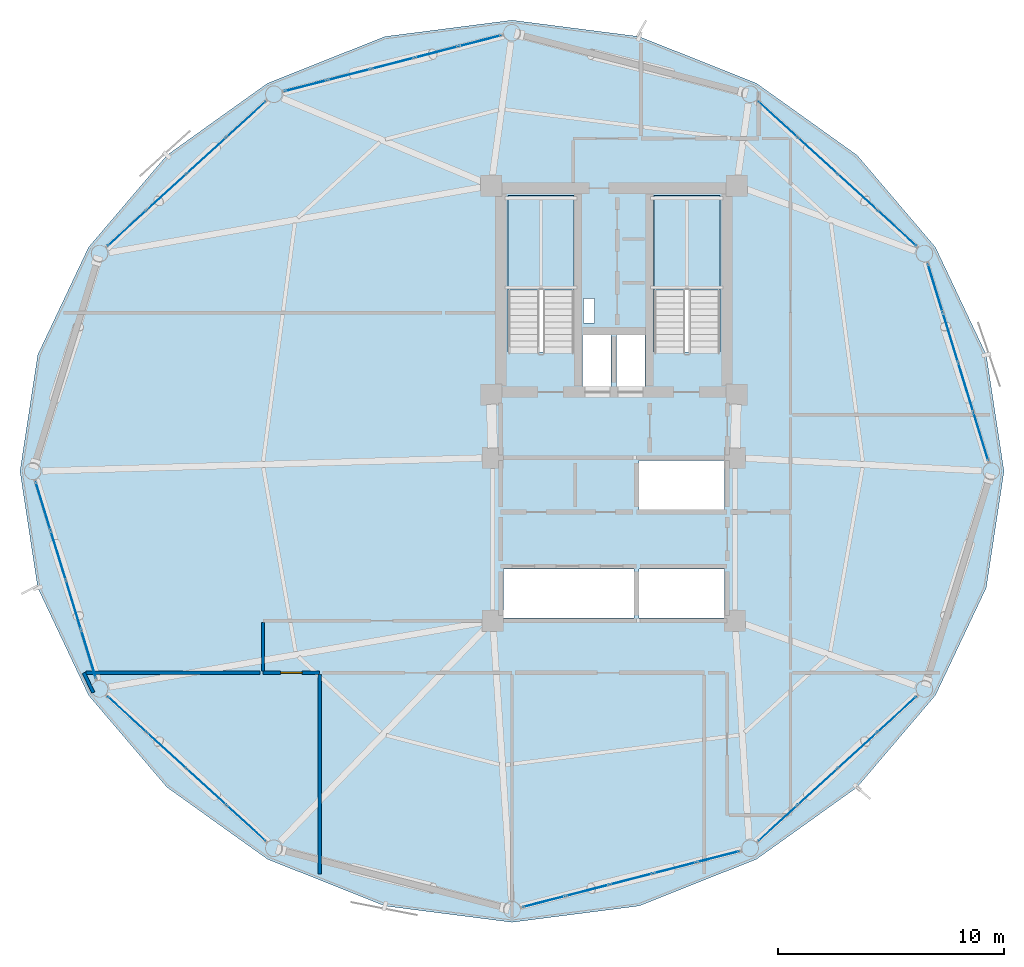
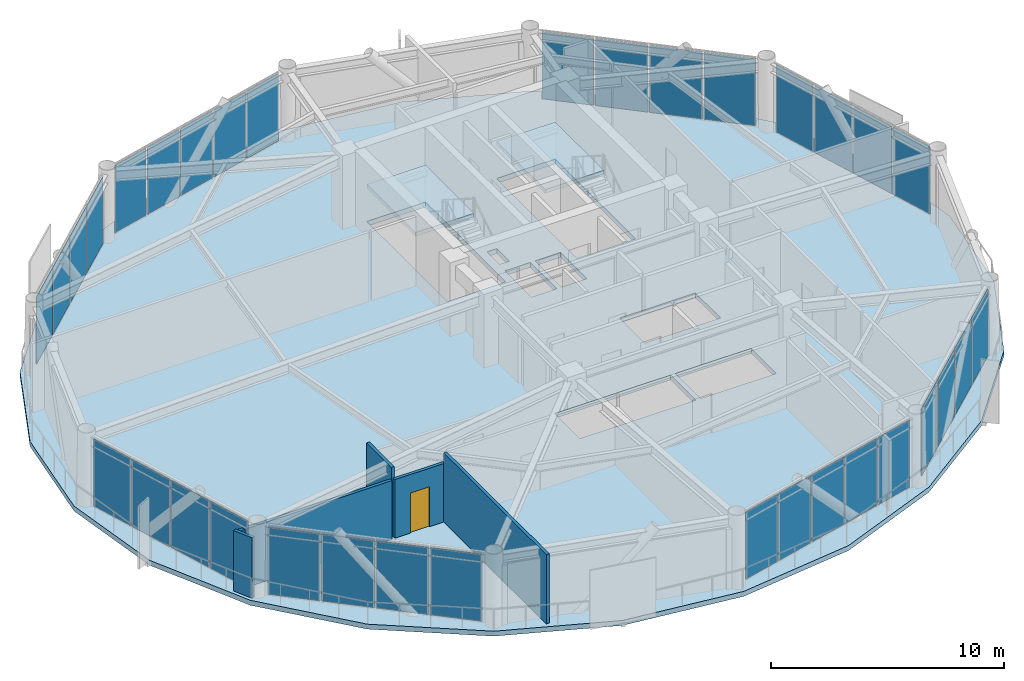
# One storey, part 19 of 25: 34 plates, 5 walls, 3 slabs, 1 door, 1 opening, 10 elements without a shape of their own.
"""IFC4 building model written with IfcOpenShell, lengths in metres."""

import ifcopenshell
import ifcopenshell.guid

model = None  # the IFC model being written
_history = None  # IfcOwnerHistory: only IFC2X3 demands one
_inside = {}  # id of a spatial element -> (the spatial element, [elements in it])
_under = {}  # id of a project, library or spatial element -> (it, [spatial elements below it])
_declared = {}  # id of a project -> (the project, [libraries it declares])
_typed = {}  # id of a type object -> (the type object, [elements of that type])
_made_of = {}  # id of a material, layer set ... -> (it, [elements and type objects made of it])


def new_model(schema):
    """Start an empty IFC model of exactly this schema.

    Asked for "IFC4X3", IfcOpenShell would pick the latest addendum, in which some entities
    have other attributes; the version numbers below select the first issue.
    IFC2X3 requires an IfcOwnerHistory on every rooted entity: one is made here for all.
    """
    global model, _history
    if schema == "IFC4X3":
        model = ifcopenshell.file(schema_version=(4, 3, 0, 0))
    else:
        model = ifcopenshell.file(schema=schema)
    _inside.clear()
    _under.clear()
    _declared.clear()
    _typed.clear()
    _made_of.clear()
    _history = None
    if model.schema == "IFC2X3":
        org = make("IfcOrganization", Name="unknown")
        user = make(
            "IfcPersonAndOrganization",
            ThePerson=make("IfcPerson", FamilyName="unknown"),
            TheOrganization=org,
        )
        app = make(
            "IfcApplication",
            ApplicationDeveloper=org,
            Version="unknown",
            ApplicationFullName="unknown",
            ApplicationIdentifier="unknown",
        )
        _history = make(
            "IfcOwnerHistory",
            OwningUser=user,
            OwningApplication=app,
            ChangeAction="ADDED",
            CreationDate=0,
        )
    return model


def make(cls, **values):
    """One entity of the class cls with the attributes given. An attribute that is None is left unset."""
    return model.create_entity(
        cls, **{name: value for name, value in values.items() if value is not None}
    )


def rooted(cls, **values):
    """An entity with a GlobalId (a new one), such as an element, a storey or a relation."""
    return make(cls, GlobalId=ifcopenshell.guid.new(), OwnerHistory=_history, **values)


def si_unit(unit_type, name, prefix=None):
    """IfcSIUnit, for example si_unit("LENGTHUNIT", "METRE", prefix="MILLI")."""
    return make("IfcSIUnit", UnitType=unit_type, Prefix=prefix, Name=name)


def assignment(units):
    """IfcUnitAssignment: the units of a project."""
    return None if units is None else make("IfcUnitAssignment", Units=units)


def point(xyz):
    """IfcCartesianPoint."""
    return None if xyz is None else make("IfcCartesianPoint", Coordinates=xyz)


def direction(xyz):
    """IfcDirection."""
    return None if xyz is None else make("IfcDirection", DirectionRatios=xyz)


def frame(location, z_axis=None, x_axis=None):
    """IfcAxis2Placement3D, a coordinate frame: its origin and axes. An axis left out is left unset."""
    return make(
        "IfcAxis2Placement3D",
        Location=point(location),
        Axis=direction(z_axis),
        RefDirection=direction(x_axis),
    )


def frame_2d(location, x_axis=None):
    """IfcAxis2Placement2D, a coordinate frame in the plane: its origin and x axis."""
    return make(
        "IfcAxis2Placement2D", Location=point(location), RefDirection=direction(x_axis)
    )


def origin():
    """The frame at (0, 0, 0) with its axes left unset."""
    return frame((0.0, 0.0, 0.0))


def origin_2d():
    """The frame at (0, 0) in the plane with its x axis left unset."""
    return frame_2d((0.0, 0.0))


def place(relative_to, where):
    """IfcLocalPlacement: puts the frame where relative to a parent placement (None: the world)."""
    return make(
        "IfcLocalPlacement", PlacementRelTo=relative_to, RelativePlacement=where
    )


def context(
    kind, dimensions, precision=None, world=None, true_north=None, identifier=None
):
    """IfcGeometricRepresentationContext, for example the 3D "Model" context."""
    return make(
        "IfcGeometricRepresentationContext",
        ContextIdentifier=identifier,
        ContextType=kind,
        CoordinateSpaceDimension=dimensions,
        Precision=precision,
        WorldCoordinateSystem=world,
        TrueNorth=true_north,
    )


def subcontext(parent, identifier, kind, view, scale=None):
    """IfcGeometricRepresentationSubContext, for example "Body" below "Model"."""
    return make(
        "IfcGeometricRepresentationSubContext",
        ContextIdentifier=identifier,
        ContextType=kind,
        ParentContext=parent,
        TargetScale=scale,
        TargetView=view,
    )


def project(units=None, contexts=None):
    """IfcProject with its units and contexts."""
    return rooted(
        "IfcProject",
        Name="project",
        RepresentationContexts=contexts,
        UnitsInContext=assignment(units),
    )


def spatial(cls, under=None, at=None, **own):
    """A site, building, storey or space (cls), placed at a placement, below another one or the project."""
    s = rooted(cls, ObjectPlacement=at, **own)
    if under is not None:
        _under.setdefault(under.id(), (under, []))[1].append(s)
    return s


def polyline(points):
    """IfcPolyline through the points."""
    return make("IfcPolyline", Points=[point(p) for p in points])


def profile(cls, at=None, kind="AREA", **sizes):
    """A parametric profile (cls). Its sizes go by their IFC names, for example OverallWidth=200.0."""
    return make(cls, ProfileType=kind, Position=at, **sizes)


def rectangle(**sizes):
    """IfcRectangleProfileDef."""
    return profile("IfcRectangleProfileDef", **sizes)


def outline(outer, holes=None, kind="AREA"):
    """IfcArbitraryClosedProfileDef: a profile drawn as a closed curve; with holes, ...WithVoids."""
    if holes is None:
        return make("IfcArbitraryClosedProfileDef", ProfileType=kind, OuterCurve=outer)
    return make(
        "IfcArbitraryProfileDefWithVoids",
        ProfileType=kind,
        OuterCurve=outer,
        InnerCurves=holes,
    )


def extrude(swept, where, along, depth):
    """IfcExtrudedAreaSolid: the profile swept, set in the frame where, extruded along a direction by depth."""
    return make(
        "IfcExtrudedAreaSolid",
        SweptArea=swept,
        Position=where,
        ExtrudedDirection=direction(along),
        Depth=depth,
    )


def shape(context_of_items, identifier, shape_type, items):
    """IfcShapeRepresentation: the items that make up one representation, for example the "Body"."""
    return make(
        "IfcShapeRepresentation",
        ContextOfItems=context_of_items,
        RepresentationIdentifier=identifier,
        RepresentationType=shape_type,
        Items=items,
    )


def source(mapping_origin, context_of_items, identifier, shape_type, items):
    """IfcRepresentationMap: a shape defined once, which mapped items show again and again."""
    return make(
        "IfcRepresentationMap",
        MappingOrigin=mapping_origin,
        MappedRepresentation=shape(context_of_items, identifier, shape_type, items),
    )


def transform(
    local_origin,
    x_axis=None,
    y_axis=None,
    z_axis=None,
    scale=None,
    scale2=None,
    scale3=None,
    uniform=True,
):
    """IfcCartesianTransformationOperator3D, or its non-uniform kind. x_axis, y_axis, z_axis: its Axis1, 2, 3."""
    if uniform:
        return make(
            "IfcCartesianTransformationOperator3D",
            Axis1=direction(x_axis),
            Axis2=direction(y_axis),
            LocalOrigin=point(local_origin),
            Scale=scale,
            Axis3=direction(z_axis),
        )
    return make(
        "IfcCartesianTransformationOperator3DnonUniform",
        Axis1=direction(x_axis),
        Axis2=direction(y_axis),
        LocalOrigin=point(local_origin),
        Scale=scale,
        Axis3=direction(z_axis),
        Scale2=scale2,
        Scale3=scale3,
    )


def mapped(mapping_source, mapping_target):
    """IfcMappedItem: shows the shape of a source again, moved by a transform."""
    return make(
        "IfcMappedItem", MappingSource=mapping_source, MappingTarget=mapping_target
    )


def material(Name=None, Category=None):
    """IfcMaterial."""
    return make("IfcMaterial", Name=Name, Category=Category)


def layer(
    of_material, thickness, ventilated=None, Name=None, Category=None, Priority=None
):
    """IfcMaterialLayer: one layer of a wall or slab, of a material (None: an air gap)."""
    return make(
        "IfcMaterialLayer",
        Material=of_material,
        LayerThickness=thickness,
        IsVentilated=ventilated,
        Name=Name,
        Category=Category,
        Priority=Priority,
    )


def layer_set(layers, Name=None):
    """IfcMaterialLayerSet."""
    return make("IfcMaterialLayerSet", MaterialLayers=layers, LayerSetName=Name)


def made_of(thing, what):
    """Note that an element or type object is made of a material, layer set ...; save() writes the relation."""
    if what is not None:
        _made_of.setdefault(what.id(), (what, []))[1].append(thing)
    return thing


def type_object(cls, material=None, **own):
    """A type object (cls), such as IfcWallType, which elements share."""
    return made_of(rooted(cls, **own), material)


def type_shapes(of_type, sources):
    """Give a type object the sources (RepresentationMaps) that its elements show as mapped items."""
    of_type.RepresentationMaps = sources


def element(
    cls,
    number,
    at=None,
    inside=None,
    cuts=None,
    type_object=None,
    material=None,
    context=None,
    identifier="Body",
    shape_type=None,
    held_by="IfcProductDefinitionShape",
    body=None,
    shapes=None,
    **own,
):
    """One element of the class cls, such as IfcWall. Its Tag is "e" and its number.

    at: its placement. inside: the storey or other place that contains it. cuts: it is an
    opening in that element (IfcRelVoidsElement). A single representation is given by context,
    identifier, shape_type and body (its items); several are given by shapes. held_by: the class
    of the entity that holds the representations. save() writes the other relations.
    """
    e = rooted(cls, Tag="e%d" % number, ObjectPlacement=at, **own)
    if body is not None:
        shapes = [shape(context, identifier, shape_type, body)]
    if shapes is not None:
        e.Representation = make(held_by, Representations=shapes)
    if inside is not None:
        _inside.setdefault(inside.id(), (inside, []))[1].append(e)
    if cuts is not None:
        rooted(
            "IfcRelVoidsElement", RelatingBuildingElement=cuts, RelatedOpeningElement=e
        )
    if type_object is not None:
        _typed.setdefault(type_object.id(), (type_object, []))[1].append(e)
    return made_of(e, material)


def fill(opening, filler):
    """IfcRelFillsElement: the door or window that sits in an opening."""
    return rooted(
        "IfcRelFillsElement",
        RelatingOpeningElement=opening,
        RelatedBuildingElement=filler,
    )


def aggregate(whole, parts):
    """IfcRelAggregates: a whole, such as a stair, and the parts it consists of."""
    return rooted("IfcRelAggregates", RelatingObject=whole, RelatedObjects=parts)


def save(model, path):
    """Write the relations noted so far, then the file.

    IfcRelAggregates (storeys below a building ...), IfcRelContainedInSpatialStructure (elements
    in a storey), IfcRelDefinesByType, IfcRelAssociatesMaterial and IfcRelDeclares: one each for
    every whole, place, type object, material and project.
    """
    for whole, parts in _under.values():
        aggregate(whole, parts)
    for where, things in _inside.values():
        rooted(
            "IfcRelContainedInSpatialStructure",
            RelatedElements=things,
            RelatingStructure=where,
        )
    for kind, things in _typed.values():
        rooted("IfcRelDefinesByType", RelatedObjects=things, RelatingType=kind)
    for what, things in _made_of.values():
        rooted("IfcRelAssociatesMaterial", RelatedObjects=things, RelatingMaterial=what)
    for by, libraries in _declared.values():
        rooted("IfcRelDeclares", RelatingContext=by, RelatedDefinitions=libraries)
    model.write(path)


model = new_model("IFC4")

# Units and contexts
model_context = context("Model", 3, precision=1e-05, world=origin(), true_north=direction((0.0, 1.0)))
body_context = subcontext(model_context, "Body", "Model", "MODEL_VIEW")
ifc_project = project(units=[si_unit("LENGTHUNIT", "METRE"), si_unit("AREAUNIT", "SQUARE_METRE"), si_unit("VOLUMEUNIT", "CUBIC_METRE"), si_unit("PLANEANGLEUNIT", "RADIAN"), si_unit("MASSUNIT", "GRAM", prefix="KILO")], contexts=[model_context])

# Site, building, storey
site_placement = place(None, origin())
site = spatial("IfcSite", under=ifc_project, at=site_placement, CompositionType="ELEMENT")
building_placement = place(site_placement, origin())
building = spatial("IfcBuilding", under=site, at=building_placement, Name="Varnakorn Sky Granary", CompositionType="ELEMENT")
storey_placement = place(building_placement, frame((0.0, 0.0, 126.60009765625)))
storey = spatial("IfcBuildingStorey", under=building, at=storey_placement, Name="L31", CompositionType="ELEMENT", Elevation=126.60009765625)

# Stair, slab
ifc_material_1 = material(Name="Concrete C40/50", Category="concrete")
stair_type = type_object("IfcStairType", Name="ST-MAIN-ASSEMBLY", PredefinedType="HALF_TURN_STAIR", material=ifc_material_1)
stair_1_placement = place(storey_placement, origin())
stair_1 = element("IfcStair", 1, at=stair_1_placement, inside=storey, type_object=stair_type, Name="L31 Protected Exit Stair ST-1", PredefinedType="HALF_TURN_STAIR")
ifc_layer_1 = layer(ifc_material_1, 0.199951171875, Name="Concrete C40/50")
ifc_layer_set_1 = layer_set([ifc_layer_1], Name="Concrete C40/50")
slab_type_1 = type_object("IfcSlabType", Name="ST-MAIN-LAND", PredefinedType="LANDING", material=ifc_layer_set_1)
slab_1_placement = place(storey_placement, frame((0.0, 0.0, 1.75)))
slab_1 = element("IfcSlab", 2, at=slab_1_placement, type_object=slab_type_1, Name="ST-1 landing 1", PredefinedType="LANDING", context=body_context, shape_type="SweptSolid", body=[
    extrude(outline(polyline([(1.239990234375, 8.0), (1.239990234375, 12.179931640625), (-1.669921875, 12.179931640625), (-1.669921875, 8.0), (1.239990234375, 8.0)])), origin(), (0.0, 0.0, 1.0), 0.199951171875),
])
aggregate(stair_1, [slab_1])

stair_2_placement = place(storey_placement, origin())
stair_2 = element("IfcStair", 3, at=stair_2_placement, inside=storey, type_object=stair_type, Name="L31 Protected Exit Stair ST-2", PredefinedType="HALF_TURN_STAIR")
slab_2_placement = place(storey_placement, frame((0.0, 0.0, 1.75)))
slab_2 = element("IfcSlab", 4, at=slab_2_placement, type_object=slab_type_1, Name="ST-2 landing 1", PredefinedType="LANDING", context=body_context, shape_type="SweptSolid", body=[
    extrude(outline(polyline([(7.679931640625, 8.0), (7.679931640625, 12.179931640625), (4.77001953125, 12.179931640625), (4.77001953125, 8.0), (7.679931640625, 8.0)])), origin(), (0.0, 0.0, 1.0), 0.199951171875),
])
aggregate(stair_2, [slab_2])

# Slab
ifc_material_2 = material(Name="Concrete C50/60", Category="concrete")
ifc_layer_2 = layer(ifc_material_2, 0.260009765625, Name="Concrete C50/60")
ifc_layer_set_2 = layer_set([ifc_layer_2], Name="Concrete C50/60")
slab_type_2 = type_object("IfcSlabType", Name="ST-SL-TWR-260", PredefinedType="FLOOR", material=ifc_layer_set_2)
slab_3_placement = place(storey_placement, frame((0.0, 0.0, -0.260009765625)))
element("IfcSlab", 5, at=slab_3_placement, inside=storey, type_object=slab_type_2, Name="Level L31 Structural Floor Slab", PredefinedType="FLOOR", context=body_context, shape_type="SweptSolid", body=[
    extrude(outline(polyline([(20.23291015625, 0.0), (19.448974609375, 5.14501953125), (17.204345703125, 9.89453125), (13.740234375, 13.961181640625), (9.299072265625, 17.1376953125), (4.11328125, 19.20166015625), (-1.5, 19.924072265625), (-7.11328125, 19.20166015625), (-12.299072265625, 17.1376953125), (-16.740234375, 13.961181640625), (-20.204345703125, 9.89453125), (-22.448974609375, 5.14501953125), (-23.23291015625, 0.0), (-22.448974609375, -5.14501953125), (-20.204345703125, -9.89453125), (-16.740234375, -13.961181640625), (-12.299072265625, -17.1376953125), (-7.11328125, -19.20166015625), (-1.5, -19.924072265625), (4.11328125, -19.20166015625), (9.299072265625, -17.1376953125), (13.740234375, -13.961181640625), (17.204345703125, -9.89453125), (19.448974609375, -5.14501953125), (20.23291015625, 0.0)]), holes=[polyline([(1.239990234375, 5.27490234375), (1.239990234375, 12.179931640625), (-1.669921875, 12.179931640625), (-1.669921875, 5.27490234375), (1.239990234375, 5.27490234375)]), polyline([(7.679931640625, 5.27490234375), (7.679931640625, 12.179931640625), (4.77001953125, 12.179931640625), (4.77001953125, 5.27490234375), (7.679931640625, 5.27490234375)]), polyline([(1.659912109375, 6.550048828125), (2.14990234375, 6.550048828125), (2.14990234375, 7.6201171875), (1.659912109375, 7.6201171875), (1.659912109375, 6.550048828125)]), polyline([(1.6201171875, 3.739990234375), (2.8798828125, 3.739990234375), (2.8798828125, 6.010009765625), (1.6201171875, 6.010009765625), (1.6201171875, 3.739990234375)]), polyline([(3.1201171875, 3.739990234375), (4.3798828125, 3.739990234375), (4.3798828125, 6.010009765625), (3.1201171875, 6.010009765625), (3.1201171875, 3.739990234375)]), polyline([(4.1201171875, -1.679931640625), (7.8798828125, -1.679931640625), (7.8798828125, 0.47998046875), (4.1201171875, 0.47998046875), (4.1201171875, -1.679931640625)]), polyline([(-1.8798828125, -6.47998046875), (3.8798828125, -6.47998046875), (3.8798828125, -4.320068359375), (-1.8798828125, -4.320068359375), (-1.8798828125, -6.47998046875)]), polyline([(4.1201171875, -6.47998046875), (7.8798828125, -6.47998046875), (7.8798828125, -4.320068359375), (4.1201171875, -4.320068359375), (4.1201171875, -6.47998046875)])]), origin(), (0.0, 0.0, 1.0), 0.260009765625),
])

# Curtain wall, plates
ifc_material_3 = material(Name="Anodised Bronze Aluminium Alloy 6063-T6", Category="aluminium")
ifc_layer_3 = layer(ifc_material_3, 0.179931640625, Name="Anodised Bronze Aluminium Alloy 6063-T6")
ifc_layer_set_3 = layer_set([ifc_layer_3], Name="Anodised Bronze Aluminium Alloy 6063-T6")
curtain_wall_type = type_object("IfcCurtainWallType", Name="CW-FRM-2", PredefinedType="USERDEFINED", material=ifc_layer_set_3)
curtain_wall_1_placement = place(storey_placement, origin())
curtain_wall_1 = element("IfcCurtainWall", 6, at=curtain_wall_1_placement, inside=storey, type_object=curtain_wall_type, Name="Unitised Curtain Wall CW4 CW-L31-B01", ObjectType="CURTAIN WALL", PredefinedType="USERDEFINED")
ifc_material_4 = material(Name="Low-E Tinted Laminated Glass", Category="glass")
ifc_layer_4 = layer(ifc_material_4, 0.02587890625, Name="Low-E Tinted Laminated Glass")
ifc_layer_set_4 = layer_set([ifc_layer_4], Name="Low-E Tinted Laminated Glass")
plate_type = type_object("IfcPlateType", Name="CW-FRM-2-PNL", PredefinedType="CURTAIN_PANEL")
shared_shape_1 = source(origin(), body_context, "Body", "SweptSolid", [
    extrude(rectangle(XDim=2.190185546875, YDim=0.02587890625, at=origin_2d()), origin(), (0.0, 0.0, 1.0), 3.510009765625),
])
plate_1_placement = place(storey_placement, frame((17.19970703125, 8.084228515625, 0.06494140625), z_axis=(0.0, 0.0, 1.0), x_axis=(0.293638066074, -0.955916673226, 0.0)))
plate_1 = element("IfcPlate", 7, at=plate_1_placement, type_object=plate_type, material=ifc_layer_set_4, Name="CW4 vision glazing unit 1.1", PredefinedType="CURTAIN_PANEL", context=body_context, shape_type="MappedRepresentation", body=[
    mapped(shared_shape_1, transform((0.0, 0.0, 0.0), x_axis=(1.0, 0.0, 0.0), y_axis=(0.0, 1.0, 0.0), z_axis=(0.0, 0.0, 1.0), scale=1.0)),
])
plate_2_placement = place(storey_placement, frame((19.21142578125, 1.535400390625, 0.06494140625), z_axis=(0.0, 0.0, 1.0), x_axis=(0.293638066074, -0.955916673226, 0.0)))
plate_2 = element("IfcPlate", 8, at=plate_2_placement, type_object=plate_type, material=ifc_layer_set_4, Name="CW4 vision glazing unit 4.1", PredefinedType="CURTAIN_PANEL", context=body_context, shape_type="MappedRepresentation", body=[
    mapped(shared_shape_1, transform((0.0, 0.0, 0.0), x_axis=(1.0, 0.0, 0.0), y_axis=(0.0, 1.0, 0.0), z_axis=(0.0, 0.0, 1.0), scale=1.0)),
])

curtain_wall_2_placement = place(storey_placement, origin())
curtain_wall_2 = element("IfcCurtainWall", 9, at=curtain_wall_2_placement, inside=storey, type_object=curtain_wall_type, Name="Unitised Curtain Wall CW4 CW-L31-B07", ObjectType="CURTAIN WALL", PredefinedType="USERDEFINED")
plate_3_placement = place(storey_placement, frame((-20.19970703125, -8.084228515625, 0.06494140625), z_axis=(0.0, 0.0, 1.0), x_axis=(-0.293638066074, 0.955916673226, 0.0)))
plate_3 = element("IfcPlate", 10, at=plate_3_placement, type_object=plate_type, material=ifc_layer_set_4, Name="CW4 vision glazing unit 1.1", PredefinedType="CURTAIN_PANEL", context=body_context, shape_type="MappedRepresentation", body=[
    mapped(shared_shape_1, transform((0.0, 0.0, 0.0), x_axis=(1.0, 0.0, 0.0), y_axis=(0.0, 1.0, 0.0), z_axis=(0.0, 0.0, 1.0), scale=1.0)),
])
plate_4_placement = place(storey_placement, frame((-22.21142578125, -1.535400390625, 0.06494140625), z_axis=(0.0, 0.0, 1.0), x_axis=(-0.293638066074, 0.955916673226, 0.0)))
plate_4 = element("IfcPlate", 11, at=plate_4_placement, type_object=plate_type, material=ifc_layer_set_4, Name="CW4 vision glazing unit 4.1", PredefinedType="CURTAIN_PANEL", context=body_context, shape_type="MappedRepresentation", body=[
    mapped(shared_shape_1, transform((0.0, 0.0, 0.0), x_axis=(1.0, 0.0, 0.0), y_axis=(0.0, 1.0, 0.0), z_axis=(0.0, 0.0, 1.0), scale=1.0)),
])

# Plate
ifc_material_5 = material(Name="Opaque Insulated Aluminium Shadow-Box Unit", Category="aluminium")
ifc_layer_5 = layer(ifc_material_5, 0.02587890625, Name="Opaque Insulated Aluminium Shadow-Box Unit")
ifc_layer_set_5 = layer_set([ifc_layer_5], Name="Opaque Insulated Aluminium Shadow-Box Unit")
shared_shape_2 = source(origin(), body_context, "Body", "SweptSolid", [
    extrude(rectangle(XDim=2.225341796875, YDim=0.02587890625, at=origin_2d()), origin(), (0.0, 0.0, 1.0), 3.510009765625),
])
plate_5_placement = place(storey_placement, frame((17.86865234375, 5.90673828125, 0.06494140625), z_axis=(0.0, 0.0, 1.0), x_axis=(0.293638066074, -0.955916673226, 0.0)))
plate_5 = element("IfcPlate", 12, at=plate_5_placement, type_object=plate_type, material=ifc_layer_set_5, Name="CW4 opaque insulated shadow-box unit 2.1", PredefinedType="CURTAIN_PANEL", context=body_context, shape_type="MappedRepresentation", body=[
    mapped(shared_shape_2, transform((0.0, 0.0, 0.0), x_axis=(1.0, 0.0, 0.0), y_axis=(0.0, 1.0, 0.0), z_axis=(0.0, 0.0, 1.0), scale=1.0)),
])

plate_6_placement = place(storey_placement, frame((18.54248046875, 3.712646484375, 0.06494140625), z_axis=(0.0, 0.0, 1.0), x_axis=(0.293638066074, -0.955916673226, 0.0)))
plate_6 = element("IfcPlate", 13, at=plate_6_placement, type_object=plate_type, material=ifc_layer_set_5, Name="CW4 opaque insulated shadow-box unit 3.1", PredefinedType="CURTAIN_PANEL", context=body_context, shape_type="MappedRepresentation", body=[
    mapped(shared_shape_2, transform((0.0, 0.0, 0.0), x_axis=(1.0, 0.0, 0.0), y_axis=(0.0, 1.0, 0.0), z_axis=(0.0, 0.0, 1.0), scale=1.0)),
])

aggregate(curtain_wall_1, [plate_1, plate_5, plate_6, plate_2])

plate_7_placement = place(storey_placement, frame((-20.86865234375, -5.90673828125, 0.06494140625), z_axis=(0.0, 0.0, 1.0), x_axis=(-0.293638066074, 0.955916673226, 0.0)))
plate_7 = element("IfcPlate", 14, at=plate_7_placement, type_object=plate_type, material=ifc_layer_set_5, Name="CW4 opaque insulated shadow-box unit 2.1", PredefinedType="CURTAIN_PANEL", context=body_context, shape_type="MappedRepresentation", body=[
    mapped(shared_shape_2, transform((0.0, 0.0, 0.0), x_axis=(1.0, 0.0, 0.0), y_axis=(0.0, 1.0, 0.0), z_axis=(0.0, 0.0, 1.0), scale=1.0)),
])

plate_8_placement = place(storey_placement, frame((-21.54248046875, -3.712646484375, 0.06494140625), z_axis=(0.0, 0.0, 1.0), x_axis=(-0.293638066074, 0.955916673226, 0.0)))
plate_8 = element("IfcPlate", 15, at=plate_8_placement, type_object=plate_type, material=ifc_layer_set_5, Name="CW4 opaque insulated shadow-box unit 3.1", PredefinedType="CURTAIN_PANEL", context=body_context, shape_type="MappedRepresentation", body=[
    mapped(shared_shape_2, transform((0.0, 0.0, 0.0), x_axis=(1.0, 0.0, 0.0), y_axis=(0.0, 1.0, 0.0), z_axis=(0.0, 0.0, 1.0), scale=1.0)),
])

aggregate(curtain_wall_2, [plate_3, plate_7, plate_8, plate_4])

# Curtain wall, plates
curtain_wall_3_placement = place(storey_placement, origin())
curtain_wall_3 = element("IfcCurtainWall", 16, at=curtain_wall_3_placement, inside=storey, type_object=curtain_wall_type, Name="Unitised Curtain Wall CW4 CW-L31-B02", ObjectType="CURTAIN WALL", PredefinedType="USERDEFINED")
shared_shape_3 = source(origin(), body_context, "Body", "SweptSolid", [
    extrude(rectangle(XDim=2.283935546875, YDim=0.02587890625, at=origin_2d()), origin(), (0.0, 0.0, 1.0), 3.510009765625),
])
plate_9_placement = place(storey_placement, frame((10.244140625, 15.54638671875, 0.06494140625), z_axis=(0.0, 0.0, 1.0), x_axis=(0.738109511749, -0.674680923597, 0.0)))
plate_9 = element("IfcPlate", 17, at=plate_9_placement, type_object=plate_type, material=ifc_layer_set_4, Name="CW4 vision glazing unit 1.1", PredefinedType="CURTAIN_PANEL", context=body_context, shape_type="MappedRepresentation", body=[
    mapped(shared_shape_3, transform((0.0, 0.0, 0.0), x_axis=(1.0, 0.0, 0.0), y_axis=(0.0, 1.0, 0.0), z_axis=(0.0, 0.0, 1.0), scale=1.0)),
])
plate_10_placement = place(storey_placement, frame((15.508056640625, 10.734619140625, 0.06494140625), z_axis=(0.0, 0.0, 1.0), x_axis=(0.738109511749, -0.674680923597, 0.0)))
plate_10 = element("IfcPlate", 18, at=plate_10_placement, type_object=plate_type, material=ifc_layer_set_4, Name="CW4 vision glazing unit 4.1", PredefinedType="CURTAIN_PANEL", context=body_context, shape_type="MappedRepresentation", body=[
    mapped(shared_shape_3, transform((0.0, 0.0, 0.0), x_axis=(1.0, 0.0, 0.0), y_axis=(0.0, 1.0, 0.0), z_axis=(0.0, 0.0, 1.0), scale=1.0)),
])

curtain_wall_4_placement = place(storey_placement, origin())
curtain_wall_4 = element("IfcCurtainWall", 19, at=curtain_wall_4_placement, inside=storey, type_object=curtain_wall_type, Name="Unitised Curtain Wall CW4 CW-L31-B05", ObjectType="CURTAIN WALL", PredefinedType="USERDEFINED")
plate_11_placement = place(storey_placement, frame((-18.508056640625, 10.734619140625, 0.06494140625), z_axis=(0.0, 0.0, 1.0), x_axis=(0.738109511749, 0.674680923597, 0.0)))
plate_11 = element("IfcPlate", 20, at=plate_11_placement, type_object=plate_type, material=ifc_layer_set_4, Name="CW4 vision glazing unit 1.1", PredefinedType="CURTAIN_PANEL", context=body_context, shape_type="MappedRepresentation", body=[
    mapped(shared_shape_3, transform((0.0, 0.0, 0.0), x_axis=(1.0, 0.0, 0.0), y_axis=(0.0, 1.0, 0.0), z_axis=(0.0, 0.0, 1.0), scale=1.0)),
])
plate_12_placement = place(storey_placement, frame((-13.244140625, 15.54638671875, 0.06494140625), z_axis=(0.0, 0.0, 1.0), x_axis=(0.738109511749, 0.674680923597, 0.0)))
plate_12 = element("IfcPlate", 21, at=plate_12_placement, type_object=plate_type, material=ifc_layer_set_4, Name="CW4 vision glazing unit 4.1", PredefinedType="CURTAIN_PANEL", context=body_context, shape_type="MappedRepresentation", body=[
    mapped(shared_shape_3, transform((0.0, 0.0, 0.0), x_axis=(1.0, 0.0, 0.0), y_axis=(0.0, 1.0, 0.0), z_axis=(0.0, 0.0, 1.0), scale=1.0)),
])

curtain_wall_5_placement = place(storey_placement, origin())
curtain_wall_5 = element("IfcCurtainWall", 22, at=curtain_wall_5_placement, inside=storey, type_object=curtain_wall_type, Name="Unitised Curtain Wall CW4 CW-L31-B08", ObjectType="CURTAIN WALL", PredefinedType="USERDEFINED")
plate_13_placement = place(storey_placement, frame((-13.244140625, -15.54638671875, 0.06494140625), z_axis=(0.0, 0.0, 1.0), x_axis=(-0.738109511749, 0.674680923597, 0.0)))
plate_13 = element("IfcPlate", 23, at=plate_13_placement, type_object=plate_type, material=ifc_layer_set_4, Name="CW4 vision glazing unit 1.1", PredefinedType="CURTAIN_PANEL", context=body_context, shape_type="MappedRepresentation", body=[
    mapped(shared_shape_3, transform((0.0, 0.0, 0.0), x_axis=(1.0, 0.0, 0.0), y_axis=(0.0, 1.0, 0.0), z_axis=(0.0, 0.0, 1.0), scale=1.0)),
])
plate_14_placement = place(storey_placement, frame((-18.508056640625, -10.734619140625, 0.06494140625), z_axis=(0.0, 0.0, 1.0), x_axis=(-0.738109511749, 0.674680923597, 0.0)))
plate_14 = element("IfcPlate", 24, at=plate_14_placement, type_object=plate_type, material=ifc_layer_set_4, Name="CW4 vision glazing unit 4.1", PredefinedType="CURTAIN_PANEL", context=body_context, shape_type="MappedRepresentation", body=[
    mapped(shared_shape_3, transform((0.0, 0.0, 0.0), x_axis=(1.0, 0.0, 0.0), y_axis=(0.0, 1.0, 0.0), z_axis=(0.0, 0.0, 1.0), scale=1.0)),
])

curtain_wall_6_placement = place(storey_placement, origin())
curtain_wall_6 = element("IfcCurtainWall", 25, at=curtain_wall_6_placement, inside=storey, type_object=curtain_wall_type, Name="Unitised Curtain Wall CW4 CW-L31-B11", ObjectType="CURTAIN WALL", PredefinedType="USERDEFINED")
plate_15_placement = place(storey_placement, frame((15.508056640625, -10.734619140625, 0.06494140625), z_axis=(0.0, 0.0, 1.0), x_axis=(-0.738109511749, -0.674680923597, 0.0)))
plate_15 = element("IfcPlate", 26, at=plate_15_placement, type_object=plate_type, material=ifc_layer_set_4, Name="CW4 vision glazing unit 1.1", PredefinedType="CURTAIN_PANEL", context=body_context, shape_type="MappedRepresentation", body=[
    mapped(shared_shape_3, transform((0.0, 0.0, 0.0), x_axis=(1.0, 0.0, 0.0), y_axis=(0.0, 1.0, 0.0), z_axis=(0.0, 0.0, 1.0), scale=1.0)),
])
plate_16_placement = place(storey_placement, frame((10.244140625, -15.54638671875, 0.06494140625), z_axis=(0.0, 0.0, 1.0), x_axis=(-0.738109511749, -0.674680923597, 0.0)))
plate_16 = element("IfcPlate", 27, at=plate_16_placement, type_object=plate_type, material=ifc_layer_set_4, Name="CW4 vision glazing unit 4.1", PredefinedType="CURTAIN_PANEL", context=body_context, shape_type="MappedRepresentation", body=[
    mapped(shared_shape_3, transform((0.0, 0.0, 0.0), x_axis=(1.0, 0.0, 0.0), y_axis=(0.0, 1.0, 0.0), z_axis=(0.0, 0.0, 1.0), scale=1.0)),
])

# Plate
shared_shape_4 = source(origin(), body_context, "Body", "SweptSolid", [
    extrude(rectangle(XDim=2.31884765625, YDim=0.02587890625, at=origin_2d()), origin(), (0.0, 0.0, 1.0), 3.510009765625),
])
plate_17_placement = place(storey_placement, frame((11.994384765625, 13.9462890625, 0.06494140625), z_axis=(0.0, 0.0, 1.0), x_axis=(0.738109511749, -0.674680923597, 0.0)))
plate_17 = element("IfcPlate", 28, at=plate_17_placement, type_object=plate_type, material=ifc_layer_set_5, Name="CW4 opaque insulated shadow-box unit 2.1", PredefinedType="CURTAIN_PANEL", context=body_context, shape_type="MappedRepresentation", body=[
    mapped(shared_shape_4, transform((0.0, 0.0, 0.0), x_axis=(1.0, 0.0, 0.0), y_axis=(0.0, 1.0, 0.0), z_axis=(0.0, 0.0, 1.0), scale=1.0)),
])

plate_18_placement = place(storey_placement, frame((13.757568359375, 12.334716796875, 0.06494140625), z_axis=(0.0, 0.0, 1.0), x_axis=(0.738109511749, -0.674680923597, 0.0)))
plate_18 = element("IfcPlate", 29, at=plate_18_placement, type_object=plate_type, material=ifc_layer_set_5, Name="CW4 opaque insulated shadow-box unit 3.1", PredefinedType="CURTAIN_PANEL", context=body_context, shape_type="MappedRepresentation", body=[
    mapped(shared_shape_4, transform((0.0, 0.0, 0.0), x_axis=(1.0, 0.0, 0.0), y_axis=(0.0, 1.0, 0.0), z_axis=(0.0, 0.0, 1.0), scale=1.0)),
])

aggregate(curtain_wall_3, [plate_9, plate_17, plate_18, plate_10])

plate_19_placement = place(storey_placement, frame((-16.757568359375, 12.334716796875, 0.06494140625), z_axis=(0.0, 0.0, 1.0), x_axis=(0.738109511749, 0.674680923597, 0.0)))
plate_19 = element("IfcPlate", 30, at=plate_19_placement, type_object=plate_type, material=ifc_layer_set_5, Name="CW4 opaque insulated shadow-box unit 2.1", PredefinedType="CURTAIN_PANEL", context=body_context, shape_type="MappedRepresentation", body=[
    mapped(shared_shape_4, transform((0.0, 0.0, 0.0), x_axis=(1.0, 0.0, 0.0), y_axis=(0.0, 1.0, 0.0), z_axis=(0.0, 0.0, 1.0), scale=1.0)),
])

plate_20_placement = place(storey_placement, frame((-14.994384765625, 13.9462890625, 0.06494140625), z_axis=(0.0, 0.0, 1.0), x_axis=(0.738109511749, 0.674680923597, 0.0)))
plate_20 = element("IfcPlate", 31, at=plate_20_placement, type_object=plate_type, material=ifc_layer_set_5, Name="CW4 opaque insulated shadow-box unit 3.1", PredefinedType="CURTAIN_PANEL", context=body_context, shape_type="MappedRepresentation", body=[
    mapped(shared_shape_4, transform((0.0, 0.0, 0.0), x_axis=(1.0, 0.0, 0.0), y_axis=(0.0, 1.0, 0.0), z_axis=(0.0, 0.0, 1.0), scale=1.0)),
])

aggregate(curtain_wall_4, [plate_11, plate_19, plate_20, plate_12])

plate_21_placement = place(storey_placement, frame((-14.994384765625, -13.9462890625, 0.06494140625), z_axis=(0.0, 0.0, 1.0), x_axis=(-0.738109511749, 0.674680923597, 0.0)))
plate_21 = element("IfcPlate", 32, at=plate_21_placement, type_object=plate_type, material=ifc_layer_set_5, Name="CW4 opaque insulated shadow-box unit 2.1", PredefinedType="CURTAIN_PANEL", context=body_context, shape_type="MappedRepresentation", body=[
    mapped(shared_shape_4, transform((0.0, 0.0, 0.0), x_axis=(1.0, 0.0, 0.0), y_axis=(0.0, 1.0, 0.0), z_axis=(0.0, 0.0, 1.0), scale=1.0)),
])

plate_22_placement = place(storey_placement, frame((-16.757568359375, -12.334716796875, 0.06494140625), z_axis=(0.0, 0.0, 1.0), x_axis=(-0.738109511749, 0.674680923597, 0.0)))
plate_22 = element("IfcPlate", 33, at=plate_22_placement, type_object=plate_type, material=ifc_layer_set_5, Name="CW4 opaque insulated shadow-box unit 3.1", PredefinedType="CURTAIN_PANEL", context=body_context, shape_type="MappedRepresentation", body=[
    mapped(shared_shape_4, transform((0.0, 0.0, 0.0), x_axis=(1.0, 0.0, 0.0), y_axis=(0.0, 1.0, 0.0), z_axis=(0.0, 0.0, 1.0), scale=1.0)),
])

aggregate(curtain_wall_5, [plate_13, plate_21, plate_22, plate_14])

plate_23_placement = place(storey_placement, frame((13.757568359375, -12.334716796875, 0.06494140625), z_axis=(0.0, 0.0, 1.0), x_axis=(-0.738109511749, -0.674680923597, 0.0)))
plate_23 = element("IfcPlate", 34, at=plate_23_placement, type_object=plate_type, material=ifc_layer_set_5, Name="CW4 opaque insulated shadow-box unit 2.1", PredefinedType="CURTAIN_PANEL", context=body_context, shape_type="MappedRepresentation", body=[
    mapped(shared_shape_4, transform((0.0, 0.0, 0.0), x_axis=(1.0, 0.0, 0.0), y_axis=(0.0, 1.0, 0.0), z_axis=(0.0, 0.0, 1.0), scale=1.0)),
])

plate_24_placement = place(storey_placement, frame((11.994384765625, -13.9462890625, 0.06494140625), z_axis=(0.0, 0.0, 1.0), x_axis=(-0.738109511749, -0.674680923597, 0.0)))
plate_24 = element("IfcPlate", 35, at=plate_24_placement, type_object=plate_type, material=ifc_layer_set_5, Name="CW4 opaque insulated shadow-box unit 3.1", PredefinedType="CURTAIN_PANEL", context=body_context, shape_type="MappedRepresentation", body=[
    mapped(shared_shape_4, transform((0.0, 0.0, 0.0), x_axis=(1.0, 0.0, 0.0), y_axis=(0.0, 1.0, 0.0), z_axis=(0.0, 0.0, 1.0), scale=1.0)),
])

aggregate(curtain_wall_6, [plate_15, plate_23, plate_24, plate_16])

# Curtain wall, plates
curtain_wall_7_placement = place(storey_placement, origin())
curtain_wall_7 = element("IfcCurtainWall", 36, at=curtain_wall_7_placement, inside=storey, type_object=curtain_wall_type, Name="Unitised Curtain Wall CW4 CW-L31-B04", ObjectType="CURTAIN WALL", PredefinedType="USERDEFINED")
shared_shape_5 = source(origin(), body_context, "Body", "SweptSolid", [
    extrude(rectangle(XDim=1.89208984375, YDim=0.02587890625, at=origin_2d()), origin(), (0.0, 0.0, 1.0), 3.510009765625),
])
plate_25_placement = place(storey_placement, frame((-10.613037109375, 17.025146484375, 0.06494140625), z_axis=(0.0, 0.0, 1.0), x_axis=(0.968354419612, 0.249579081692, 0.0)))
plate_25 = element("IfcPlate", 37, at=plate_25_placement, type_object=plate_type, material=ifc_layer_set_4, Name="CW4 vision glazing unit 1.1", PredefinedType="CURTAIN_PANEL", context=body_context, shape_type="MappedRepresentation", body=[
    mapped(shared_shape_5, transform((0.0, 0.0, 0.0), x_axis=(1.0, 0.0, 0.0), y_axis=(0.0, 1.0, 0.0), z_axis=(0.0, 0.0, 1.0), scale=1.0)),
])
plate_26_placement = place(storey_placement, frame((-2.910888671875, 19.01025390625, 0.06494140625), z_axis=(0.0, 0.0, 1.0), x_axis=(0.968354419612, 0.249579081692, 0.0)))
plate_26 = element("IfcPlate", 38, at=plate_26_placement, type_object=plate_type, material=ifc_layer_set_4, Name="CW4 vision glazing unit 5.1", PredefinedType="CURTAIN_PANEL", context=body_context, shape_type="MappedRepresentation", body=[
    mapped(shared_shape_5, transform((0.0, 0.0, 0.0), x_axis=(1.0, 0.0, 0.0), y_axis=(0.0, 1.0, 0.0), z_axis=(0.0, 0.0, 1.0), scale=1.0)),
])

curtain_wall_8_placement = place(storey_placement, origin())
curtain_wall_8 = element("IfcCurtainWall", 39, at=curtain_wall_8_placement, inside=storey, type_object=curtain_wall_type, Name="Unitised Curtain Wall CW4 CW-L31-B10", ObjectType="CURTAIN WALL", PredefinedType="USERDEFINED")
plate_27_placement = place(storey_placement, frame((7.613037109375, -17.025146484375, 0.06494140625), z_axis=(0.0, 0.0, 1.0), x_axis=(-0.968354419612, -0.249579081692, 0.0)))
plate_27 = element("IfcPlate", 40, at=plate_27_placement, type_object=plate_type, material=ifc_layer_set_4, Name="CW4 vision glazing unit 1.1", PredefinedType="CURTAIN_PANEL", context=body_context, shape_type="MappedRepresentation", body=[
    mapped(shared_shape_5, transform((0.0, 0.0, 0.0), x_axis=(1.0, 0.0, 0.0), y_axis=(0.0, 1.0, 0.0), z_axis=(0.0, 0.0, 1.0), scale=1.0)),
])
plate_28_placement = place(storey_placement, frame((-0.089111328125, -19.01025390625, 0.06494140625), z_axis=(0.0, 0.0, 1.0), x_axis=(-0.968354419612, -0.249579081692, 0.0)))
plate_28 = element("IfcPlate", 41, at=plate_28_placement, type_object=plate_type, material=ifc_layer_set_4, Name="CW4 vision glazing unit 5.1", PredefinedType="CURTAIN_PANEL", context=body_context, shape_type="MappedRepresentation", body=[
    mapped(shared_shape_5, transform((0.0, 0.0, 0.0), x_axis=(1.0, 0.0, 0.0), y_axis=(0.0, 1.0, 0.0), z_axis=(0.0, 0.0, 1.0), scale=1.0)),
])

# Plate
shared_shape_6 = source(origin(), body_context, "Body", "SweptSolid", [
    extrude(rectangle(XDim=1.92724609375, YDim=0.02587890625, at=origin_2d()), origin(), (0.0, 0.0, 1.0), 3.510009765625),
])
type_shapes(plate_type, [shared_shape_1, shared_shape_2, shared_shape_3, shared_shape_4, shared_shape_5, shared_shape_6])
plate_29_placement = place(storey_placement, frame((-8.696044921875, 17.519287109375, 0.06494140625), z_axis=(0.0, 0.0, 1.0), x_axis=(0.968354419612, 0.249579081692, 0.0)))
plate_29 = element("IfcPlate", 42, at=plate_29_placement, type_object=plate_type, material=ifc_layer_set_5, Name="CW4 opaque insulated shadow-box unit 2.1", PredefinedType="CURTAIN_PANEL", context=body_context, shape_type="MappedRepresentation", body=[
    mapped(shared_shape_6, transform((0.0, 0.0, 0.0), x_axis=(1.0, 0.0, 0.0), y_axis=(0.0, 1.0, 0.0), z_axis=(0.0, 0.0, 1.0), scale=1.0)),
])

plate_30_placement = place(storey_placement, frame((-6.761962890625, 18.017822265625, 0.06494140625), z_axis=(0.0, 0.0, 1.0), x_axis=(0.968354419612, 0.249579081692, 0.0)))
plate_30 = element("IfcPlate", 43, at=plate_30_placement, type_object=plate_type, material=ifc_layer_set_5, Name="CW4 opaque insulated shadow-box unit 3.1", PredefinedType="CURTAIN_PANEL", context=body_context, shape_type="MappedRepresentation", body=[
    mapped(shared_shape_6, transform((0.0, 0.0, 0.0), x_axis=(1.0, 0.0, 0.0), y_axis=(0.0, 1.0, 0.0), z_axis=(0.0, 0.0, 1.0), scale=1.0)),
])

plate_31_placement = place(storey_placement, frame((-4.827880859375, 18.51611328125, 0.06494140625), z_axis=(0.0, 0.0, 1.0), x_axis=(0.968354419612, 0.249579081692, 0.0)))
plate_31 = element("IfcPlate", 44, at=plate_31_placement, type_object=plate_type, material=ifc_layer_set_5, Name="CW4 opaque insulated shadow-box unit 4.1", PredefinedType="CURTAIN_PANEL", context=body_context, shape_type="MappedRepresentation", body=[
    mapped(shared_shape_6, transform((0.0, 0.0, 0.0), x_axis=(1.0, 0.0, 0.0), y_axis=(0.0, 1.0, 0.0), z_axis=(0.0, 0.0, 1.0), scale=1.0)),
])

aggregate(curtain_wall_7, [plate_25, plate_29, plate_30, plate_31, plate_26])

plate_32_placement = place(storey_placement, frame((5.696044921875, -17.519287109375, 0.06494140625), z_axis=(0.0, 0.0, 1.0), x_axis=(-0.968354419612, -0.249579081692, 0.0)))
plate_32 = element("IfcPlate", 45, at=plate_32_placement, type_object=plate_type, material=ifc_layer_set_5, Name="CW4 opaque insulated shadow-box unit 2.1", PredefinedType="CURTAIN_PANEL", context=body_context, shape_type="MappedRepresentation", body=[
    mapped(shared_shape_6, transform((0.0, 0.0, 0.0), x_axis=(1.0, 0.0, 0.0), y_axis=(0.0, 1.0, 0.0), z_axis=(0.0, 0.0, 1.0), scale=1.0)),
])

plate_33_placement = place(storey_placement, frame((3.761962890625, -18.017822265625, 0.06494140625), z_axis=(0.0, 0.0, 1.0), x_axis=(-0.968354419612, -0.249579081692, 0.0)))
plate_33 = element("IfcPlate", 46, at=plate_33_placement, type_object=plate_type, material=ifc_layer_set_5, Name="CW4 opaque insulated shadow-box unit 3.1", PredefinedType="CURTAIN_PANEL", context=body_context, shape_type="MappedRepresentation", body=[
    mapped(shared_shape_6, transform((0.0, 0.0, 0.0), x_axis=(1.0, 0.0, 0.0), y_axis=(0.0, 1.0, 0.0), z_axis=(0.0, 0.0, 1.0), scale=1.0)),
])

plate_34_placement = place(storey_placement, frame((1.827880859375, -18.51611328125, 0.06494140625), z_axis=(0.0, 0.0, 1.0), x_axis=(-0.968354419612, -0.249579081692, 0.0)))
plate_34 = element("IfcPlate", 47, at=plate_34_placement, type_object=plate_type, material=ifc_layer_set_5, Name="CW4 opaque insulated shadow-box unit 4.1", PredefinedType="CURTAIN_PANEL", context=body_context, shape_type="MappedRepresentation", body=[
    mapped(shared_shape_6, transform((0.0, 0.0, 0.0), x_axis=(1.0, 0.0, 0.0), y_axis=(0.0, 1.0, 0.0), z_axis=(0.0, 0.0, 1.0), scale=1.0)),
])

aggregate(curtain_wall_8, [plate_27, plate_32, plate_33, plate_34, plate_28])

# Wall, opening, door
ifc_material_6 = material(Name="Gypsum Plasterboard on Steel Stud", Category="steel")
ifc_layer_6 = layer(ifc_material_6, 0.14990234375, Name="Gypsum Plasterboard on Steel Stud")
ifc_layer_set_6 = layer_set([ifc_layer_6], Name="Gypsum Plasterboard on Steel Stud")
wall_type = type_object("IfcWallType", Name="WT-PART-150", PredefinedType="PARTITIONING", material=ifc_layer_set_6)
wall_1_placement = place(storey_placement, frame((-12.5, -8.89990234375, 0.0), z_axis=(0.0, 0.0, 1.0), x_axis=(1.0, 0.0, 0.0)))
wall_1 = element("IfcWall", 48, at=wall_1_placement, inside=storey, type_object=wall_type, Name="Interior Partition Wall L31-020", PredefinedType="PARTITIONING", context=body_context, shape_type="SweptSolid", body=[
    extrude(rectangle(XDim=2.5, YDim=0.14990234375, at=frame_2d((1.25, 0.0))), origin(), (0.0, 0.0, 1.0), 3.072021484375),
])
opening_placement = place(wall_1_placement, frame((0.77490234375, 0.0, 0.0)))
opening = element("IfcOpeningElement", 49, at=opening_placement, cuts=wall_1, Name="Opening ID-95", PredefinedType="OPENING", context=body_context, shape_type="SweptSolid", body=[
    extrude(rectangle(XDim=0.949951171875, YDim=2.10009765625, at=frame_2d((0.47509765625, 1.050048828125))), frame((0.0, 0.0849609375, 0.0), z_axis=(0.0, -1.0, 0.0), x_axis=(1.0, 0.0, 0.0)), (0.0, 0.0, 1.0), 0.169921875),
])
ifc_material_7 = material(Name="Solid-Core Teak Veneer Leaf", Category="timber")
door_type = type_object("IfcDoorType", Name="DR-INT-950", OperationType="NOTDEFINED", PredefinedType="DOOR", material=ifc_material_7)
door_placement = place(opening_placement, origin())
door = element("IfcDoor", 50, at=door_placement, inside=storey, type_object=door_type, Name="Interior Door L31-020-1", OperationType="SINGLE_SWING_LEFT", OverallHeight=2.10009765625, OverallWidth=0.949951171875, PredefinedType="DOOR", context=body_context, shape_type="SweptSolid", body=[
    extrude(rectangle(XDim=0.949951171875, YDim=2.10009765625, at=frame_2d((0.47509765625, 1.050048828125))), frame((0.0, 0.02490234375, 0.0), z_axis=(0.0, -1.0, 0.0), x_axis=(1.0, 0.0, 0.0)), (0.0, 0.0, 1.0), 0.050048828125),
])
fill(opening, door)

# Walls
wall_2_placement = place(storey_placement, frame((-10.0, -8.985107421875, 0.0), z_axis=(0.0, 0.0, 1.0), x_axis=(0.0, -1.0, 0.0)))
element("IfcWall", 51, at=wall_2_placement, inside=storey, type_object=wall_type, Name="Interior Partition Wall L31-036", PredefinedType="PARTITIONING", context=body_context, shape_type="SweptSolid", body=[
    extrude(rectangle(XDim=8.81201171875, YDim=0.14990234375, at=frame_2d((4.406005859375, 0.0))), origin(), (0.0, 0.0, 1.0), 3.639892578125),
])
wall_3_placement = place(storey_placement, frame((-19.9970703125, -9.77392578125, 0.0), z_axis=(0.0, 0.0, 1.0), x_axis=(-0.427923551035, 0.90381493375, 0.0)))
element("IfcWall", 52, at=wall_3_placement, inside=storey, type_object=wall_type, Name="Interior Partition Wall L31-037", PredefinedType="PARTITIONING", context=body_context, shape_type="SweptSolid", body=[
    extrude(rectangle(XDim=0.967041015625, YDim=0.14990234375, at=frame_2d((0.4833984375, 0.0))), origin(), (0.0, 0.0, 1.0), 3.171875),
])
wall_4_placement = place(storey_placement, frame((-20.325927734375, -8.89990234375, 0.0), z_axis=(0.0, 0.0, 1.0), x_axis=(1.0, 0.0, 0.0)))
element("IfcWall", 53, at=wall_4_placement, inside=storey, type_object=wall_type, Name="Interior Partition Wall L31-038", PredefinedType="PARTITIONING", context=body_context, shape_type="SweptSolid", body=[
    extrude(rectangle(XDim=7.69091796875, YDim=0.14990234375, at=frame_2d((3.845458984375, 0.0))), origin(), (0.0, 0.0, 1.0), 3.072021484375),
])
wall_5_placement = place(storey_placement, frame((-12.5, -6.68505859375, 0.0), z_axis=(0.0, 0.0, 1.0), x_axis=(0.0, -1.0, 0.0)))
element("IfcWall", 54, at=wall_5_placement, inside=storey, type_object=wall_type, Name="Interior Partition Wall L31-045", PredefinedType="PARTITIONING", context=body_context, shape_type="SweptSolid", body=[
    extrude(rectangle(XDim=2.1298828125, YDim=0.14990234375, at=frame_2d((1.06494140625, 0.0))), origin(), (0.0, 0.0, 1.0), 3.639892578125),
])

save(model, "model.ifc")
